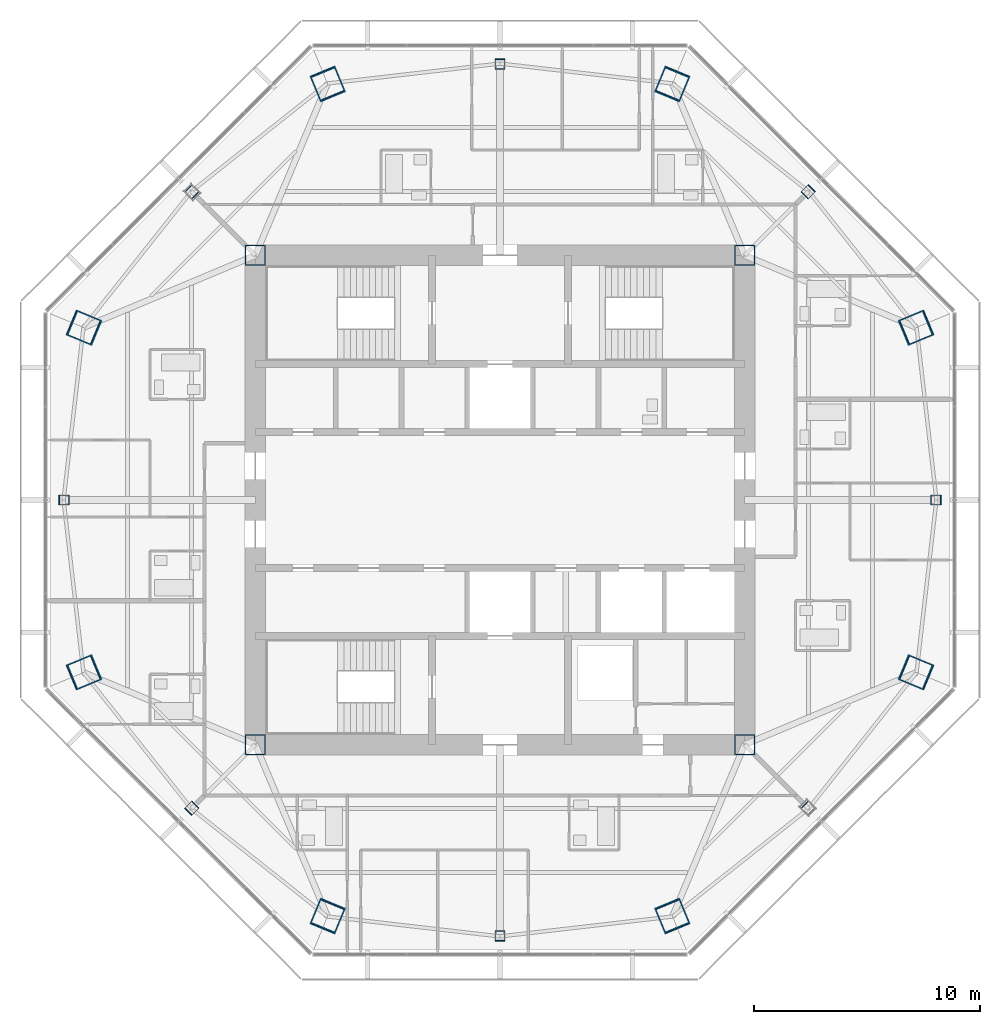
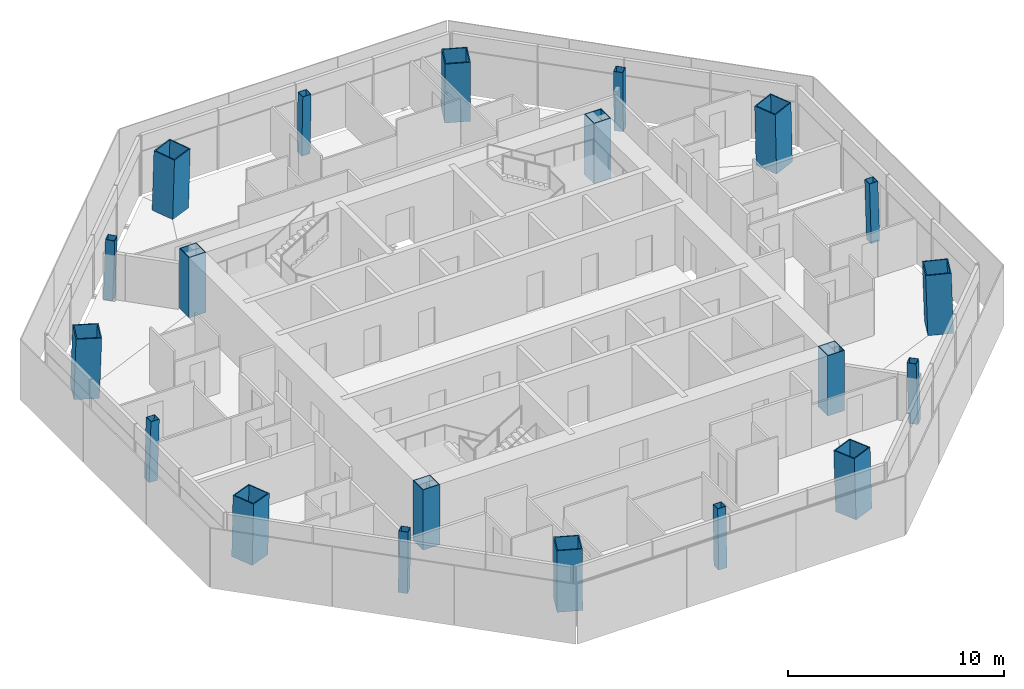
# One storey, part 1 of 15: 20 columns.
"""IFC4 building model written with IfcOpenShell, lengths in metres."""

from ifc_helpers import new_model, si_unit, direction, frame, origin, origin_2d, place, context, subcontext, project, spatial, hollow_rectangle, extrude, material, material_profile, profile_set, type_object, element, save


model = new_model("IFC4")

# Units and contexts
model_context = context("Model", 3, precision=1e-05, world=origin(), true_north=direction((0.0, 1.0)))
body_context = subcontext(model_context, "Body", "Model", "MODEL_VIEW")
ifc_project = project(units=[si_unit("LENGTHUNIT", "METRE"), si_unit("AREAUNIT", "SQUARE_METRE"), si_unit("VOLUMEUNIT", "CUBIC_METRE"), si_unit("PLANEANGLEUNIT", "RADIAN"), si_unit("MASSUNIT", "GRAM", prefix="KILO")], contexts=[model_context])

# Site, building, storey
site_placement = place(None, origin())
site = spatial("IfcSite", under=ifc_project, at=site_placement, CompositionType="ELEMENT")
building_placement = place(site_placement, origin())
building = spatial("IfcBuilding", under=site, at=building_placement, Name="Mashrafa Tower", CompositionType="ELEMENT")
storey_placement = place(building_placement, frame((0.0, 0.0, 281.0)))
storey = spatial("IfcBuildingStorey", under=building, at=storey_placement, Name="L68", CompositionType="ELEMENT", Elevation=281.0)

# Columns
ifc_material_1 = material(Name="Steel ASTM A572 Gr 50", Category="steel")
ifc_material_profile_1 = material_profile(ifc_material_1, hollow_rectangle(XDim=0.89990234375, YDim=0.89990234375, WallThickness=0.0400390625, at=origin_2d()), Name="BOX900X900X40")
ifc_profile_set_1 = profile_set([ifc_material_profile_1], Name="Steel ASTM A572 Gr 50")
column_type_1 = type_object("IfcColumnType", Name="Core corner column BOX900X900X40", PredefinedType="COLUMN", material=ifc_profile_set_1)
for number, where, z_axis, x_axis, name in (
    (1, (10.800048828125, 10.800048828125, 0.0), (0.0, 0.0, 1.0), (1.0, 0.0, 0.0), "Core corner column CC-NE L68"),
    (2, (-10.800048828125, 10.800048828125, 0.0), (0.0, 0.0, 1.0), (1.0, 0.0, 0.0), "Core corner column CC-NW L68"),
    (3, (-10.800048828125, -10.800048828125, 0.0), (0.0, 0.0, 1.0), (1.0, 0.0, 0.0), "Core corner column CC-SW L68"),
    (4, (10.800048828125, -10.800048828125, 0.0), (0.0, 0.0, 1.0), (1.0, 0.0, 0.0), "Core corner column CC-SE L68"),
):
    element("IfcColumn", number, at=place(storey_placement, frame(where, z_axis=z_axis, x_axis=x_axis)), inside=storey, type_object=column_type_1, Name=name, PredefinedType="COLUMN", context=body_context, shape_type="SweptSolid", body=[
        extrude(hollow_rectangle(XDim=0.89990234375, YDim=0.89990234375, WallThickness=0.0400390625, at=origin_2d()), origin(), (0.0, 0.0, 1.0), 3.39990234375),
    ])
ifc_material_2 = material(Name="Steel ASTM A572 Gr 50", Category="steel")
ifc_material_profile_2 = material_profile(ifc_material_2, hollow_rectangle(XDim=1.199951171875, YDim=1.199951171875, WallThickness=0.054931640625, at=origin_2d()), Name="BOX1200X1200X55")
ifc_profile_set_2 = profile_set([ifc_material_profile_2], Name="Steel ASTM A572 Gr 50")
column_type_2 = type_object("IfcColumnType", Name="Mega column CFST BOX1200X1200X55", PredefinedType="COLUMN", material=ifc_profile_set_2)
for number, where, z_axis, x_axis, name in (
    (5, (18.387451171875, 7.6162109375, 0.0), (-0.02827915051, -0.01169924247, 0.999531598986), (0.382282742426, -0.924045401938, 0.0), "Mega column MC1 L68"),
    (6, (7.6162109375, 18.387451171875, 0.0), (-0.01169924247, -0.02827915051, 0.999531598986), (0.924045401938, -0.382282742426, 0.0), "Mega column MC2 L68"),
    (7, (-7.6162109375, 18.387451171875, 0.0), (0.01169924247, -0.02827915051, 0.999531598986), (0.924045401938, 0.382282742426, 0.0), "Mega column MC3 L68"),
    (8, (-18.387451171875, 7.6162109375, 0.0), (0.02827915051, -0.01169924247, 0.999531598986), (0.382282742426, 0.924045401938, 0.0), "Mega column MC4 L68"),
    (9, (-18.387451171875, -7.6162109375, 0.0), (0.02827915051, 0.01169924247, 0.999531598986), (-0.382282742426, 0.924045401938, 0.0), "Mega column MC5 L68"),
    (10, (-7.6162109375, -18.387451171875, 0.0), (0.01169924247, 0.02827915051, 0.999531598986), (-0.924045401938, 0.382282742426, 0.0), "Mega column MC6 L68"),
    (11, (7.6162109375, -18.387451171875, 0.0), (-0.01169924247, 0.02827915051, 0.999531598986), (-0.924045401938, -0.382282742426, 0.0), "Mega column MC7 L68"),
    (12, (18.387451171875, -7.6162109375, 0.0), (-0.02827915051, 0.01169924247, 0.999531598986), (-0.382282742426, -0.924045401938, 0.0), "Mega column MC8 L68"),
):
    element("IfcColumn", number, at=place(storey_placement, frame(where, z_axis=z_axis, x_axis=x_axis)), inside=storey, type_object=column_type_2, Name=name, PredefinedType="COLUMN", context=body_context, shape_type="SweptSolid", body=[
        extrude(hollow_rectangle(XDim=1.199951171875, YDim=1.199951171875, WallThickness=0.054931640625, at=origin_2d()), origin(), (0.0, 0.0, 1.0), 3.401611328125),
    ])
ifc_material_3 = material(Name="Steel ASTM A572 Gr 50", Category="steel")
ifc_material_profile_3 = material_profile(ifc_material_3, hollow_rectangle(XDim=0.449951171875, YDim=0.449951171875, WallThickness=0.02001953125, at=origin_2d()), Name="BOX450X450X20")
ifc_profile_set_3 = profile_set([ifc_material_profile_3], Name="Steel ASTM A572 Gr 50")
column_type_3 = type_object("IfcColumnType", Name="Secondary column BOX450X450X20", PredefinedType="COLUMN", material=ifc_profile_set_3)
for number, where, z_axis, x_axis, name in (
    (13, (19.265625, 0.0, 0.0), (-0.028281086024, 0.0, 0.999600010091), (0.0, -1.0, 0.0), "Secondary column SC1 L68"),
    (14, (13.622802734375, 13.622802734375, 0.0), (-0.01995470925, -0.01995470925, 0.999601730269), (0.707106781187, -0.707106781187, 0.0), "Secondary column SC2 L68"),
    (15, (0.0, 19.265625, 0.0), (0.0, -0.028281086024, 0.999600010091), (1.0, 0.0, 0.0), "Secondary column SC3 L68"),
    (16, (-13.622802734375, 13.622802734375, 0.0), (0.01995470925, -0.01995470925, 0.999601730269), (0.707106781187, 0.707106781187, 0.0), "Secondary column SC4 L68"),
    (17, (-19.265625, 0.0, 0.0), (0.028281086024, 0.0, 0.999600010091), (0.0, 1.0, 0.0), "Secondary column SC5 L68"),
    (18, (-13.622802734375, -13.622802734375, 0.0), (0.01995470925, 0.01995470925, 0.999601730269), (-0.707106781187, 0.707106781187, 0.0), "Secondary column SC6 L68"),
    (19, (0.0, -19.265625, 0.0), (0.0, 0.028281086024, 0.999600010091), (-1.0, 0.0, 0.0), "Secondary column SC7 L68"),
    (20, (13.622802734375, -13.622802734375, 0.0), (-0.01995470925, 0.01995470925, 0.999601730269), (-0.707106781187, -0.707106781187, 0.0), "Secondary column SC8 L68"),
):
    element("IfcColumn", number, at=place(storey_placement, frame(where, z_axis=z_axis, x_axis=x_axis)), inside=storey, type_object=column_type_3, Name=name, PredefinedType="COLUMN", context=body_context, shape_type="SweptSolid", body=[
        extrude(hollow_rectangle(XDim=0.449951171875, YDim=0.449951171875, WallThickness=0.02001953125, at=origin_2d()), origin(), (0.0, 0.0, 1.0), 3.4013671875),
    ])

save(model, "model.ifc")
